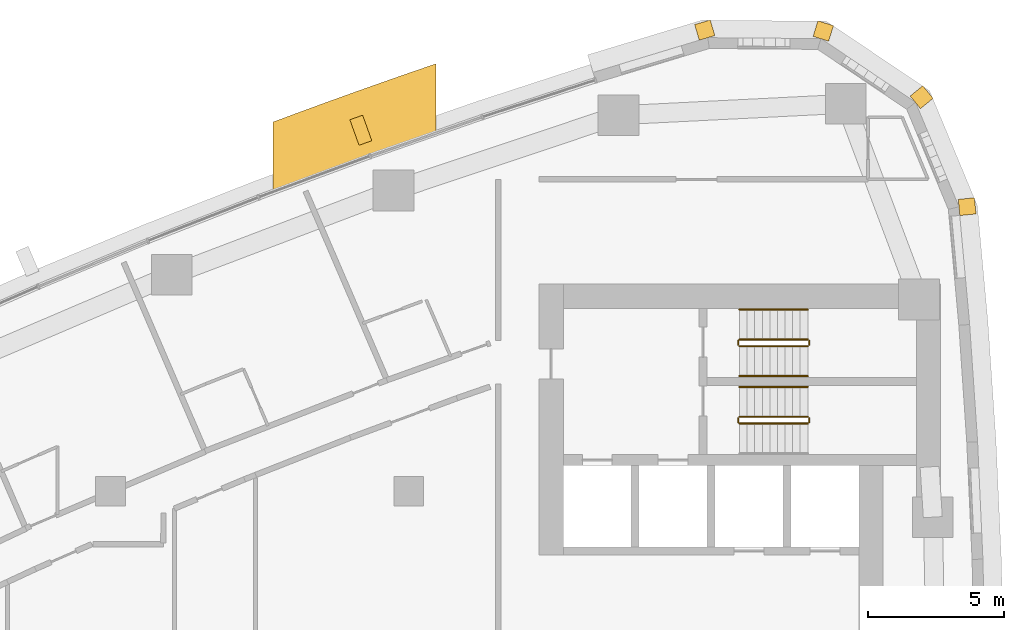
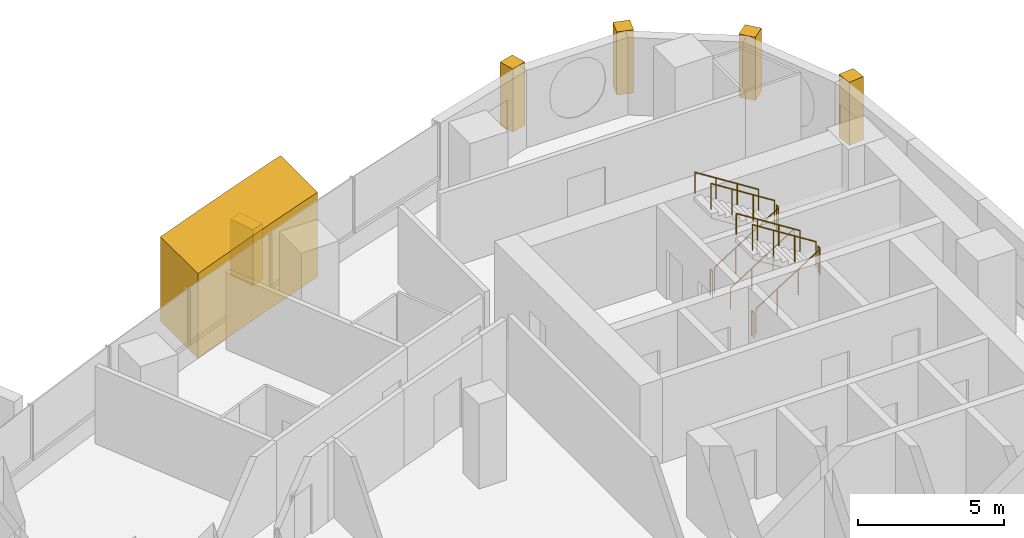
# One storey, part 17 of 17: 11 railings, 6 coverings.
"""IFC4 building model written with IfcOpenShell, lengths in metres."""

from ifc_helpers import new_model, si_unit, direction, frame, frame_2d, origin, origin_2d, place, context, subcontext, project, spatial, polyline, rectangle, circle, outline, extrude, material, layer, layer_set, type_object, element, save


model = new_model("IFC4")

# Units and contexts
model_context = context("Model", 3, precision=1e-05, world=origin(), true_north=direction((0.0, 1.0)))
body_context = subcontext(model_context, "Body", "Model", "MODEL_VIEW")
ifc_project = project(units=[si_unit("LENGTHUNIT", "METRE"), si_unit("AREAUNIT", "SQUARE_METRE"), si_unit("VOLUMEUNIT", "CUBIC_METRE"), si_unit("PLANEANGLEUNIT", "RADIAN"), si_unit("MASSUNIT", "GRAM", prefix="KILO")], contexts=[model_context])

# Site, building, storey
site_placement = place(None, origin())
site = spatial("IfcSite", under=ifc_project, at=site_placement, CompositionType="ELEMENT")
building_placement = place(site_placement, origin())
building = spatial("IfcBuilding", under=site, at=building_placement, Name="Ostrand Prow Hotel Tower", CompositionType="ELEMENT")
storey_placement = place(building_placement, frame((0.0, 0.0, 137.300048828125)))
storey = spatial("IfcBuildingStorey", under=building, at=storey_placement, Name="L33", CompositionType="ELEMENT", Elevation=137.300048828125)

# Coverings
ifc_material_1 = material(Name="Limestone cladding", Category="masonry")
ifc_layer_1 = layer(ifc_material_1, 5.0)
ifc_layer_set_1 = layer_set([ifc_layer_1], Name="Limestone cladding")
covering_type_1 = type_object("IfcCoveringType", Name="Portal jamb pilaster limestone", PredefinedType="CLADDING", material=ifc_layer_set_1)
covering_1_placement = place(storey_placement, origin())
element("IfcCovering", 1, at=covering_1_placement, inside=storey, type_object=covering_type_1, Name="Portal jamb NB L33", PredefinedType="CLADDING", context=body_context, shape_type="SweptSolid", body=[
    extrude(outline(polyline([(40.0, 20.058349609375), (41.0, 20.434326171875), (42.0, 20.804931640625), (43.0, 21.169921875), (44.0, 21.529296875), (45.0, 21.883056640625), (46.0, 22.231689453125), (46.0, 24.769287109375), (45.0, 24.425048828125), (44.0, 24.075439453125), (43.0, 23.720458984375), (42.0, 23.360107421875), (41.0, 22.994140625), (40.0, 22.622802734375), (40.0, 20.058349609375)])), origin(), (0.0, 0.0, 1.0), 3.550048828125),
])
ifc_material_2 = material(Name="Limestone cladding", Category="masonry")
ifc_layer_2 = layer(ifc_material_2, 0.5)
ifc_layer_set_2 = layer_set([ifc_layer_2], Name="Limestone cladding")
covering_type_2 = type_object("IfcCoveringType", Name="Precast stone fin 500x900", PredefinedType="CLADDING", material=ifc_layer_set_2)
covering_2_placement = place(storey_placement, frame((43.402099609375, 21.84619140625, 0.89990234375), z_axis=(0.0, 0.0, 1.0), x_axis=(-0.3378203991, 0.941210591713, 0.0)))
element("IfcCovering", 2, at=covering_2_placement, inside=storey, type_object=covering_type_2, Name="Stone fin N 3", PredefinedType="CLADDING", context=body_context, shape_type="SweptSolid", body=[
    extrude(rectangle(XDim=1.000244140625, YDim=0.5, at=frame_2d((0.5, 0.0))), origin(), (0.0, 0.0, 1.0), 2.35009765625),
])
ifc_material_3 = material(Name="Limestone cladding", Category="masonry")
ifc_layer_3 = layer(ifc_material_3, 0.60009765625)
ifc_layer_set_3 = layer_set([ifc_layer_3], Name="Limestone cladding")
covering_type_3 = type_object("IfcCoveringType", Name="Precast stone prow rib 600x600", PredefinedType="CLADDING", material=ifc_layer_set_3)
covering_3_placement = place(storey_placement, frame((65.296875, 19.467529296875, 0.599853515625), z_axis=(0.0, 0.0, 1.0), x_axis=(0.994854249607, 0.101316445052, 0.0)))
element("IfcCovering", 3, at=covering_3_placement, inside=storey, type_object=covering_type_3, Name="Stone corner rib 14a", PredefinedType="CLADDING", context=body_context, shape_type="SweptSolid", body=[
    extrude(rectangle(XDim=0.60009765625, YDim=0.60009765625, at=frame_2d((0.300048828125, 0.0))), origin(), (0.0, 0.0, 1.0), 2.650146484375),
])
for number, where, z_axis, x_axis, name in (
    (4, (63.68505859375, 23.34521484375, 0.599853515625), (0.0, 0.0, 1.0), (0.773830327772, 0.633392945825, 0.0), "Stone corner rib 15a"),
    (5, (60.201171875, 25.689697265625, 0.599853515625), (0.0, 0.0, 1.0), (0.295515682615, 0.955337888565, 0.0), "Stone corner rib 16a"),
):
    element("IfcCovering", number, at=place(storey_placement, frame(where, z_axis=z_axis, x_axis=x_axis)), inside=storey, type_object=covering_type_3, Name=name, PredefinedType="CLADDING", context=body_context, shape_type="SweptSolid", body=[
        extrude(rectangle(XDim=0.599853515625, YDim=0.60009765625, at=frame_2d((0.2998046875, 0.0))), origin(), (0.0, 0.0, 1.0), 2.650146484375),
    ])
covering_4_placement = place(storey_placement, frame((56.001953125, 25.722412109375, 0.599853515625), z_axis=(0.0, 0.0, 1.0), x_axis=(-0.280734221166, 0.959785547436, 0.0)))
element("IfcCovering", 6, at=covering_4_placement, inside=storey, type_object=covering_type_3, Name="Stone corner rib 16b", PredefinedType="CLADDING", context=body_context, shape_type="SweptSolid", body=[
    extrude(rectangle(XDim=0.60009765625, YDim=0.60009765625, at=frame_2d((0.300048828125, 0.0))), origin(), (0.0, 0.0, 1.0), 2.650146484375),
])

# Railings
ifc_material_4 = material(Name="Painted steel", Category="steel")
railing_type_1 = type_object("IfcRailingType", Name="Stair guard 1100", PredefinedType="GUARDRAIL", material=ifc_material_4)
railing_1_placement = place(storey_placement, frame((57.199951171875, 11.5, 0.177490234375)))
element("IfcRailing", 7, at=railing_1_placement, inside=storey, type_object=railing_type_1, Name="L33 ST1C stair guard 1", PredefinedType="GUARDRAIL", context=body_context, shape_type="SweptSolid", body=[
    extrude(circle(Radius=0.02392578125, at=origin_2d()), frame((0.0, 0.0, 1.076171875), z_axis=(0.84460694969, 0.0, 0.535386869969), x_axis=(0.0, 1.0, 0.0)), (0.0, 0.0, 1.0), 2.983642578125),
    extrude(circle(Radius=0.02099609375, at=origin_2d()), origin(), (0.0, 0.0, 1.0), 1.052001953125),
    extrude(circle(Radius=0.02099609375, at=origin_2d()), frame((0.840087890625, 0.0, 0.532470703125)), (0.0, 0.0, 1.0), 1.052001953125),
    extrude(circle(Radius=0.02099609375, at=origin_2d()), frame((1.679931640625, 0.0, 1.06494140625)), (0.0, 0.0, 1.0), 1.052001953125),
    extrude(circle(Radius=0.02099609375, at=origin_2d()), frame((2.52001953125, 0.0, 1.597412109375)), (0.0, 0.0, 1.0), 1.052001953125),
])
railing_2_placement = place(storey_placement, frame((59.77001953125, 11.550048828125, 1.77490234375)))
element("IfcRailing", 8, at=railing_2_placement, inside=storey, type_object=railing_type_1, Name="L33 ST1C stair guard 2", PredefinedType="GUARDRAIL", context=body_context, shape_type="SweptSolid", body=[
    extrude(circle(Radius=0.02392578125, at=origin_2d()), frame((0.0, 0.0, 1.076171875), z_axis=(0.0, 1.0, 0.0), x_axis=(-1.0, 0.0, 0.0)), (0.0, 0.0, 1.0), 0.14990234375),
    extrude(circle(Radius=0.02099609375, at=origin_2d()), origin(), (0.0, 0.0, 1.0), 1.052001953125),
    extrude(circle(Radius=0.02099609375, at=origin_2d()), frame((0.0, 0.14990234375, 0.0)), (0.0, 0.0, 1.0), 1.052001953125),
])
railing_3_placement = place(storey_placement, frame((59.719970703125, 11.75, 1.952392578125)))
element("IfcRailing", 9, at=railing_3_placement, inside=storey, type_object=railing_type_1, Name="L33 ST1C stair guard 3", PredefinedType="GUARDRAIL", context=body_context, shape_type="SweptSolid", body=[
    extrude(circle(Radius=0.02392578125, at=origin_2d()), frame((0.0, 0.0, 1.076171875), z_axis=(-0.84456994832, 0.0, 0.535445237532), x_axis=(0.0, -1.0, 0.0)), (0.0, 0.0, 1.0), 2.98388671875),
    extrude(circle(Radius=0.02099609375, at=origin_2d()), origin(), (0.0, 0.0, 1.0), 1.052001953125),
    extrude(circle(Radius=0.02099609375, at=origin_2d()), frame((-0.840087890625, 0.0, 0.532470703125)), (0.0, 0.0, 1.0), 1.052001953125),
    extrude(circle(Radius=0.02099609375, at=origin_2d()), frame((-1.679931640625, 0.0, 1.065185546875)), (0.0, 0.0, 1.0), 1.052001953125),
    extrude(circle(Radius=0.02099609375, at=origin_2d()), frame((-2.52001953125, 0.0, 1.59765625)), (0.0, 0.0, 1.0), 1.052001953125),
])
railing_4_placement = place(storey_placement, frame((57.14990234375, 11.550048828125, 0.0)))
element("IfcRailing", 10, at=railing_4_placement, inside=storey, type_object=railing_type_1, Name="L33 ST1C stair guard 4", PredefinedType="GUARDRAIL", context=body_context, shape_type="SweptSolid", body=[
    extrude(circle(Radius=0.02392578125, at=origin_2d()), frame((0.0, 0.0, 1.076171875), z_axis=(0.0, 1.0, 0.0), x_axis=(-1.0, 0.0, 0.0)), (0.0, 0.0, 1.0), 0.14990234375),
    extrude(circle(Radius=0.02099609375, at=origin_2d()), origin(), (0.0, 0.0, 1.0), 1.052001953125),
    extrude(circle(Radius=0.02099609375, at=origin_2d()), frame((0.0, 0.14990234375, 0.0)), (0.0, 0.0, 1.0), 1.052001953125),
])
railing_5_placement = place(storey_placement, frame((57.199951171875, 14.35009765625, 0.177490234375)))
element("IfcRailing", 11, at=railing_5_placement, inside=storey, type_object=railing_type_1, Name="L33 ST3C stair guard 1", PredefinedType="GUARDRAIL", context=body_context, shape_type="SweptSolid", body=[
    extrude(circle(Radius=0.02392578125, at=origin_2d()), frame((0.0, 0.0, 1.076171875), z_axis=(0.84460694969, 0.0, 0.535386869969), x_axis=(0.0, 1.0, 0.0)), (0.0, 0.0, 1.0), 2.983642578125),
    extrude(circle(Radius=0.02099609375, at=origin_2d()), origin(), (0.0, 0.0, 1.0), 1.052001953125),
    extrude(circle(Radius=0.02099609375, at=origin_2d()), frame((0.840087890625, 0.0, 0.532470703125)), (0.0, 0.0, 1.0), 1.052001953125),
    extrude(circle(Radius=0.02099609375, at=origin_2d()), frame((1.679931640625, 0.0, 1.06494140625)), (0.0, 0.0, 1.0), 1.052001953125),
    extrude(circle(Radius=0.02099609375, at=origin_2d()), frame((2.52001953125, 0.0, 1.597412109375)), (0.0, 0.0, 1.0), 1.052001953125),
])
railing_6_placement = place(storey_placement, frame((59.77001953125, 14.39990234375, 1.77490234375)))
element("IfcRailing", 12, at=railing_6_placement, inside=storey, type_object=railing_type_1, Name="L33 ST3C stair guard 2", PredefinedType="GUARDRAIL", context=body_context, shape_type="SweptSolid", body=[
    extrude(circle(Radius=0.02392578125, at=origin_2d()), frame((0.0, 0.0, 1.076171875), z_axis=(0.0, 1.0, 0.0), x_axis=(-1.0, 0.0, 0.0)), (0.0, 0.0, 1.0), 0.150146484375),
    extrude(circle(Radius=0.02099609375, at=origin_2d()), origin(), (0.0, 0.0, 1.0), 1.052001953125),
    extrude(circle(Radius=0.02099609375, at=origin_2d()), frame((0.0, 0.150146484375, 0.0)), (0.0, 0.0, 1.0), 1.052001953125),
])
railing_7_placement = place(storey_placement, frame((59.719970703125, 14.60009765625, 1.952392578125)))
element("IfcRailing", 13, at=railing_7_placement, inside=storey, type_object=railing_type_1, Name="L33 ST3C stair guard 3", PredefinedType="GUARDRAIL", context=body_context, shape_type="SweptSolid", body=[
    extrude(circle(Radius=0.02392578125, at=origin_2d()), frame((0.0, 0.0, 1.076171875), z_axis=(-0.84456994832, 0.0, 0.535445237532), x_axis=(0.0, -1.0, 0.0)), (0.0, 0.0, 1.0), 2.98388671875),
    extrude(circle(Radius=0.02099609375, at=origin_2d()), origin(), (0.0, 0.0, 1.0), 1.052001953125),
    extrude(circle(Radius=0.02099609375, at=origin_2d()), frame((-0.840087890625, 0.0, 0.532470703125)), (0.0, 0.0, 1.0), 1.052001953125),
    extrude(circle(Radius=0.02099609375, at=origin_2d()), frame((-1.679931640625, 0.0, 1.065185546875)), (0.0, 0.0, 1.0), 1.052001953125),
    extrude(circle(Radius=0.02099609375, at=origin_2d()), frame((-2.52001953125, 0.0, 1.59765625)), (0.0, 0.0, 1.0), 1.052001953125),
])
railing_8_placement = place(storey_placement, frame((57.14990234375, 14.39990234375, 0.0)))
element("IfcRailing", 14, at=railing_8_placement, inside=storey, type_object=railing_type_1, Name="L33 ST3C stair guard 4", PredefinedType="GUARDRAIL", context=body_context, shape_type="SweptSolid", body=[
    extrude(circle(Radius=0.02392578125, at=origin_2d()), frame((0.0, 0.0, 1.076171875), z_axis=(0.0, 1.0, 0.0), x_axis=(-1.0, 0.0, 0.0)), (0.0, 0.0, 1.0), 0.150146484375),
    extrude(circle(Radius=0.02099609375, at=origin_2d()), origin(), (0.0, 0.0, 1.0), 1.052001953125),
    extrude(circle(Radius=0.02099609375, at=origin_2d()), frame((0.0, 0.150146484375, 0.0)), (0.0, 0.0, 1.0), 1.052001953125),
])
ifc_material_5 = material(Name="Stainless steel", Category="steel")
railing_type_2 = type_object("IfcRailingType", Name="Stair handrail 900", PredefinedType="HANDRAIL", material=ifc_material_5)
railing_9_placement = place(storey_placement, frame((59.719970703125, 12.85009765625, 1.952392578125)))
element("IfcRailing", 15, at=railing_9_placement, inside=storey, type_object=railing_type_2, Name="L33 ST1C stair handrail 2", PredefinedType="HANDRAIL", context=body_context, shape_type="SweptSolid", body=[
    extrude(circle(Radius=0.02392578125, at=origin_2d()), frame((0.0, 0.0, 0.8759765625), z_axis=(-0.84456994832, 0.0, 0.535445237532), x_axis=(0.0, -1.0, 0.0)), (0.0, 0.0, 1.0), 2.98388671875),
    extrude(circle(Radius=0.02099609375, at=origin_2d()), origin(), (0.0, 0.0, 1.0), 0.851806640625),
    extrude(circle(Radius=0.02099609375, at=origin_2d()), frame((-0.840087890625, 0.0, 0.532470703125)), (0.0, 0.0, 1.0), 0.851806640625),
    extrude(circle(Radius=0.02099609375, at=origin_2d()), frame((-1.679931640625, 0.0, 1.065185546875)), (0.0, 0.0, 1.0), 0.851806640625),
    extrude(circle(Radius=0.02099609375, at=origin_2d()), frame((-2.52001953125, 0.0, 1.59765625)), (0.0, 0.0, 1.0), 0.851806640625),
])
railing_10_placement = place(storey_placement, frame((57.199951171875, 13.25, 0.177490234375)))
element("IfcRailing", 16, at=railing_10_placement, inside=storey, type_object=railing_type_2, Name="L33 ST3C stair handrail 1", PredefinedType="HANDRAIL", context=body_context, shape_type="SweptSolid", body=[
    extrude(circle(Radius=0.02392578125, at=origin_2d()), frame((0.0, 0.0, 0.8759765625), z_axis=(0.84460694969, 0.0, 0.535386869969), x_axis=(0.0, 1.0, 0.0)), (0.0, 0.0, 1.0), 2.983642578125),
    extrude(circle(Radius=0.02099609375, at=origin_2d()), origin(), (0.0, 0.0, 1.0), 0.851806640625),
    extrude(circle(Radius=0.02099609375, at=origin_2d()), frame((0.840087890625, 0.0, 0.532470703125)), (0.0, 0.0, 1.0), 0.851806640625),
    extrude(circle(Radius=0.02099609375, at=origin_2d()), frame((1.679931640625, 0.0, 1.06494140625)), (0.0, 0.0, 1.0), 0.851806640625),
    extrude(circle(Radius=0.02099609375, at=origin_2d()), frame((2.52001953125, 0.0, 1.597412109375)), (0.0, 0.0, 1.0), 0.851806640625),
])
railing_11_placement = place(storey_placement, frame((59.719970703125, 15.699951171875, 1.952392578125)))
element("IfcRailing", 17, at=railing_11_placement, inside=storey, type_object=railing_type_2, Name="L33 ST3C stair handrail 2", PredefinedType="HANDRAIL", context=body_context, shape_type="SweptSolid", body=[
    extrude(circle(Radius=0.02392578125, at=origin_2d()), frame((0.0, 0.0, 0.8759765625), z_axis=(-0.84456994832, 0.0, 0.535445237532), x_axis=(0.0, -1.0, 0.0)), (0.0, 0.0, 1.0), 2.98388671875),
    extrude(circle(Radius=0.02099609375, at=origin_2d()), origin(), (0.0, 0.0, 1.0), 0.851806640625),
    extrude(circle(Radius=0.02099609375, at=origin_2d()), frame((-0.840087890625, 0.0, 0.532470703125)), (0.0, 0.0, 1.0), 0.851806640625),
    extrude(circle(Radius=0.02099609375, at=origin_2d()), frame((-1.679931640625, 0.0, 1.065185546875)), (0.0, 0.0, 1.0), 0.851806640625),
    extrude(circle(Radius=0.02099609375, at=origin_2d()), frame((-2.52001953125, 0.0, 1.59765625)), (0.0, 0.0, 1.0), 0.851806640625),
])

save(model, "model.ifc")
